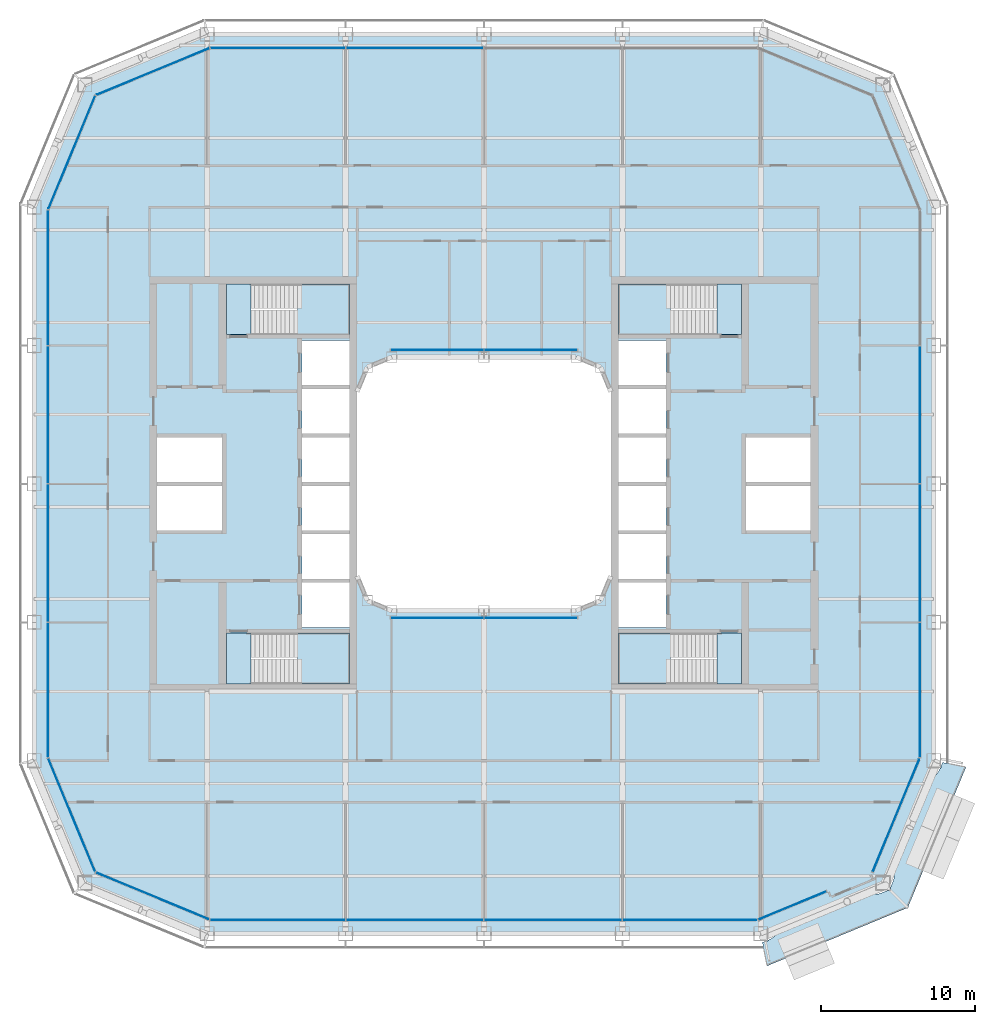
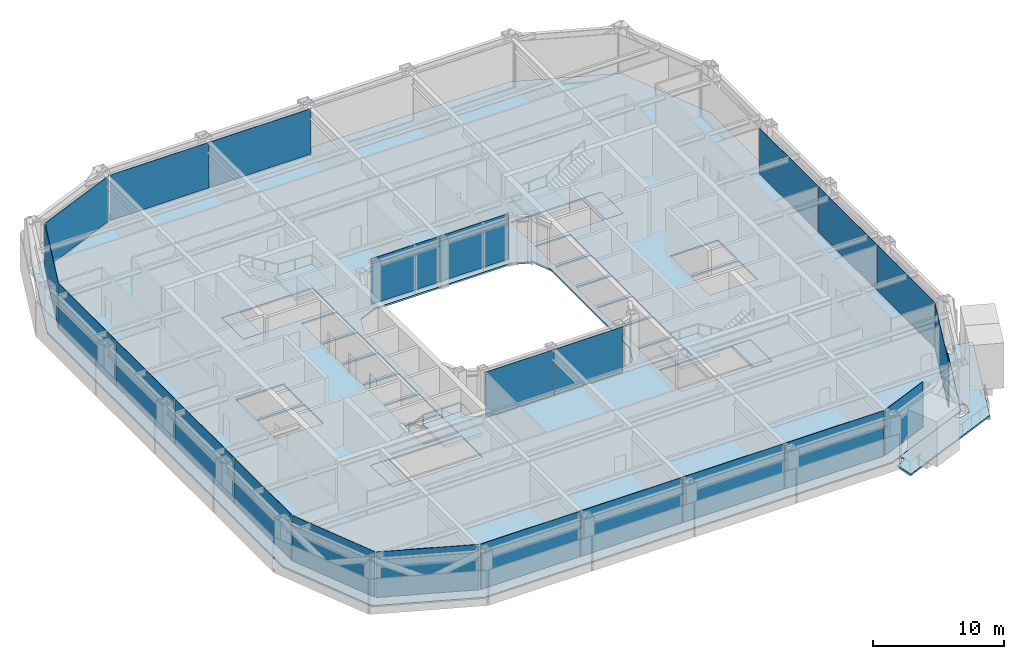
# One storey, part 10 of 23: 23 plates, 10 slabs, 16 elements without a shape of their own.
"""IFC4 building model written with IfcOpenShell, lengths in metres."""

from ifc_helpers import new_model, si_unit, direction, frame, origin, origin_2d, place, context, subcontext, project, spatial, polyline, rectangle, outline, extrude, material, layer, layer_set, type_object, element, aggregate, save


model = new_model("IFC4")

# Units and contexts
model_context = context("Model", 3, precision=1e-05, world=origin(), true_north=direction((0.0, 1.0)))
body_context = subcontext(model_context, "Body", "Model", "MODEL_VIEW")
ifc_project = project(units=[si_unit("LENGTHUNIT", "METRE"), si_unit("AREAUNIT", "SQUARE_METRE"), si_unit("VOLUMEUNIT", "CUBIC_METRE"), si_unit("PLANEANGLEUNIT", "RADIAN"), si_unit("MASSUNIT", "GRAM", prefix="KILO")], contexts=[model_context])

# Site, building, storey
site_placement = place(None, origin())
site = spatial("IfcSite", under=ifc_project, at=site_placement, CompositionType="ELEMENT")
building_placement = place(site_placement, origin())
building = spatial("IfcBuilding", under=site, at=building_placement, Name="Siwar Civic Tower", CompositionType="ELEMENT")
storey_placement = place(building_placement, frame((0.0, 0.0, 127.199951171875)))
storey = spatial("IfcBuildingStorey", under=building, at=storey_placement, Name="L27", CompositionType="ELEMENT", Elevation=127.199951171875)

# Stair, slabs
ifc_material_1 = material(Name="Concrete C40/50", Category="concrete")
stair_type = type_object("IfcStairType", Name="CORE-STAIR", PredefinedType="TWO_STRAIGHT_RUN_STAIR", material=ifc_material_1)
stair_1_placement = place(storey_placement, origin())
stair_1 = element("IfcStair", 1, at=stair_1_placement, inside=storey, type_object=stair_type, Name="Exit stair ST1", PredefinedType="TWO_STRAIGHT_RUN_STAIR")
ifc_material_2 = material(Name="Concrete C40/50", Category="concrete")
ifc_layer_1 = layer(ifc_material_2, 0.300048828125)
ifc_layer_set_1 = layer_set([ifc_layer_1], Name="Concrete C40/50")
slab_type_1 = type_object("IfcSlabType", Name="CORE-STAIR-LANDING", PredefinedType="LANDING", material=ifc_layer_set_1)
slab_1_placement = place(storey_placement, frame((0.0, 0.0, -0.300048828125)))
slab_1 = element("IfcSlab", 2, at=slab_1_placement, type_object=slab_type_1, Name="ST1 landing 1", PredefinedType="LANDING", context=body_context, shape_type="SweptSolid", body=[
    extrude(outline(polyline([(-15.14990234375, 13.0), (-16.75, 13.0), (-16.75, 9.699951171875), (-15.14990234375, 9.699951171875), (-15.14990234375, 13.0)])), origin(), (0.0, 0.0, 1.0), 0.300048828125),
])
slab_2_placement = place(storey_placement, frame((0.0, 0.0, 1.949951171875)))
slab_2 = element("IfcSlab", 3, at=slab_2_placement, type_object=slab_type_1, Name="ST1 landing 2", PredefinedType="LANDING", context=body_context, shape_type="SweptSolid", body=[
    extrude(outline(polyline([(-8.75, 13.0), (-12.139892578125, 13.0), (-12.139892578125, 9.699951171875), (-8.75, 9.699951171875), (-8.75, 13.0)])), origin(), (0.0, 0.0, 1.0), 0.300048828125),
])
aggregate(stair_1, [slab_1, slab_2])

stair_2_placement = place(storey_placement, origin())
stair_2 = element("IfcStair", 4, at=stair_2_placement, inside=storey, type_object=stair_type, Name="Exit stair ST2", PredefinedType="TWO_STRAIGHT_RUN_STAIR")
slab_3_placement = place(storey_placement, frame((0.0, 0.0, -0.300048828125)))
slab_3 = element("IfcSlab", 5, at=slab_3_placement, type_object=slab_type_1, Name="ST2 landing 1", PredefinedType="LANDING", context=body_context, shape_type="SweptSolid", body=[
    extrude(outline(polyline([(-15.14990234375, -9.699951171875), (-16.75, -9.699951171875), (-16.75, -13.0), (-15.14990234375, -13.0), (-15.14990234375, -9.699951171875)])), origin(), (0.0, 0.0, 1.0), 0.300048828125),
])
slab_4_placement = place(storey_placement, frame((0.0, 0.0, 1.949951171875)))
slab_4 = element("IfcSlab", 6, at=slab_4_placement, type_object=slab_type_1, Name="ST2 landing 2", PredefinedType="LANDING", context=body_context, shape_type="SweptSolid", body=[
    extrude(outline(polyline([(-8.75, -9.699951171875), (-12.139892578125, -9.699951171875), (-12.139892578125, -13.0), (-8.75, -13.0), (-8.75, -9.699951171875)])), origin(), (0.0, 0.0, 1.0), 0.300048828125),
])
aggregate(stair_2, [slab_3, slab_4])

stair_3_placement = place(storey_placement, origin())
stair_3 = element("IfcStair", 7, at=stair_3_placement, inside=storey, type_object=stair_type, Name="Exit stair ST3", PredefinedType="TWO_STRAIGHT_RUN_STAIR")
slab_5_placement = place(storey_placement, frame((0.0, 0.0, -0.300048828125)))
slab_5 = element("IfcSlab", 8, at=slab_5_placement, type_object=slab_type_1, Name="ST3 landing 1", PredefinedType="LANDING", context=body_context, shape_type="SweptSolid", body=[
    extrude(outline(polyline([(15.14990234375, 9.699951171875), (16.75, 9.699951171875), (16.75, 13.0), (15.14990234375, 13.0), (15.14990234375, 9.699951171875)])), origin(), (0.0, 0.0, 1.0), 0.300048828125),
])
slab_6_placement = place(storey_placement, frame((0.0, 0.0, 1.949951171875)))
slab_6 = element("IfcSlab", 9, at=slab_6_placement, type_object=slab_type_1, Name="ST3 landing 2", PredefinedType="LANDING", context=body_context, shape_type="SweptSolid", body=[
    extrude(outline(polyline([(8.75, 9.699951171875), (12.139892578125, 9.699951171875), (12.139892578125, 13.0), (8.75, 13.0), (8.75, 9.699951171875)])), origin(), (0.0, 0.0, 1.0), 0.300048828125),
])
aggregate(stair_3, [slab_5, slab_6])

stair_4_placement = place(storey_placement, origin())
stair_4 = element("IfcStair", 10, at=stair_4_placement, inside=storey, type_object=stair_type, Name="Exit stair ST4", PredefinedType="TWO_STRAIGHT_RUN_STAIR")
slab_7_placement = place(storey_placement, frame((0.0, 0.0, -0.300048828125)))
slab_7 = element("IfcSlab", 11, at=slab_7_placement, type_object=slab_type_1, Name="ST4 landing 1", PredefinedType="LANDING", context=body_context, shape_type="SweptSolid", body=[
    extrude(outline(polyline([(15.14990234375, -13.0), (16.75, -13.0), (16.75, -9.699951171875), (15.14990234375, -9.699951171875), (15.14990234375, -13.0)])), origin(), (0.0, 0.0, 1.0), 0.300048828125),
])
slab_8_placement = place(storey_placement, frame((0.0, 0.0, 1.949951171875)))
slab_8 = element("IfcSlab", 12, at=slab_8_placement, type_object=slab_type_1, Name="ST4 landing 2", PredefinedType="LANDING", context=body_context, shape_type="SweptSolid", body=[
    extrude(outline(polyline([(8.75, -13.0), (12.139892578125, -13.0), (12.139892578125, -9.699951171875), (8.75, -9.699951171875), (8.75, -13.0)])), origin(), (0.0, 0.0, 1.0), 0.300048828125),
])
aggregate(stair_4, [slab_7, slab_8])

# Slab
ifc_material_3 = material(Name="Concrete C40/50", Category="concrete")
ifc_layer_2 = layer(ifc_material_3, 0.14990234375)
ifc_layer_set_2 = layer_set([ifc_layer_2], Name="Concrete C40/50")
slab_type_2 = type_object("IfcSlabType", Name="ENV-BALCONY DECK 150", PredefinedType="FLOOR", material=ifc_layer_set_2)
slab_9_placement = place(storey_placement, frame((0.0, 0.0, -0.1494140625)))
element("IfcSlab", 13, at=slab_9_placement, inside=storey, type_object=slab_type_2, Name="Tree balcony deck SE", PredefinedType="FLOOR", context=body_context, shape_type="SweptSolid", body=[
    extrude(outline(polyline([(26.263427734375, -26.43310546875), (26.258056640625, -26.435546875), (26.258056640625, -26.435546875), (26.24169921875, -26.4423828125), (25.921875, -26.575439453125), (25.897216796875, -26.585693359375), (25.88916015625, -26.589111328125), (25.88720703125, -26.58984375), (25.81494140625, -26.617431640625), (25.81005859375, -26.619140625), (25.74462890625, -26.639404296875), (25.740234375, -26.640625), (25.673583984375, -26.65673828125), (25.669189453125, -26.65771484375), (25.601806640625, -26.669921875), (25.59765625, -26.67041015625), (25.529541015625, -26.6787109375), (25.523681640625, -26.67919921875), (25.517578125, -26.67919921875), (25.406005859375, -26.6748046875), (25.397216796875, -26.674072265625), (25.388671875, -26.672119140625), (25.345703125, -26.66015625), (25.34130859375, -26.65869140625), (25.299072265625, -26.64404296875), (25.29150390625, -26.640869140625), (25.284423828125, -26.63720703125), (25.251220703125, -26.61669921875), (25.247802734375, -26.614501953125), (25.216064453125, -26.59228515625), (25.209716796875, -26.58740234375), (25.203857421875, -26.581787109375), (25.19873046875, -26.575439453125), (25.1943359375, -26.56884765625), (25.190673828125, -26.561767578125), (25.177001953125, -26.531494140625), (25.17529296875, -26.52734375), (25.16357421875, -26.496337890625), (25.1611328125, -26.488525390625), (25.159423828125, -26.480712890625), (25.15869140625, -26.47265625), (25.15869140625, -26.464599609375), (25.15966796875, -26.456787109375), (25.166259765625, -26.418701171875), (25.167236328125, -26.41455078125), (25.176025390625, -26.376708984375), (25.17822265625, -26.368896484375), (25.181396484375, -26.361328125), (25.20068359375, -26.321044921875), (25.202880859375, -26.31689453125), (25.224609375, -26.27783203125), (25.2294921875, -26.2705078125), (25.23486328125, -26.263671875), (25.25048828125, -26.246826171875), (18.724609375, -28.949951171875), (18.77490234375, -28.951904296875), (18.783447265625, -28.95263671875), (18.7919921875, -28.95458984375), (18.835205078125, -28.966552734375), (18.839599609375, -28.968017578125), (18.8818359375, -28.982666015625), (18.889404296875, -28.98583984375), (18.896484375, -28.98974609375), (18.9296875, -29.010009765625), (18.935302734375, -29.013916015625), (18.940673828125, -29.018310546875), (18.945556640625, -29.023193359375), (18.968994140625, -29.048583984375), (18.971923828125, -29.052001953125), (18.99365234375, -29.078857421875), (18.998046875, -29.084716796875), (19.001708984375, -29.0908203125), (19.0048828125, -29.097412109375), (19.00732421875, -29.104248046875), (19.009033203125, -29.111083984375), (19.01025390625, -29.118408203125), (19.013671875, -29.15283203125), (19.01416015625, -29.1572265625), (19.015625, -29.19189453125), (19.015625, -29.19873046875), (19.01513671875, -29.20556640625), (19.013671875, -29.21240234375), (19.0048828125, -29.25), (19.002685546875, -29.2578125), (18.99951171875, -29.265380859375), (18.980224609375, -29.305908203125), (18.97802734375, -29.309814453125), (18.956298828125, -29.348876953125), (18.951416015625, -29.356201171875), (18.946044921875, -29.363037109375), (18.870361328125, -29.4453125), (18.865966796875, -29.44970703125), (18.861572265625, -29.453369140625), (18.8076171875, -29.495849609375), (18.80419921875, -29.498291015625), (18.748046875, -29.53759765625), (18.744384765625, -29.5400390625), (18.68603515625, -29.575927734375), (18.681884765625, -29.578369140625), (18.62158203125, -29.610595703125), (18.616943359375, -29.61279296875), (18.54638671875, -29.64453125), (18.54443359375, -29.645263671875), (18.4951171875, -29.665771484375), (18.47509765625, -29.674072265625), (18.47509765625, -29.72509765625), (18.352783203125, -29.72509765625), (18.314697265625, -29.740966796875), (18.232666015625, -29.775146484375), (18.19970703125, -29.788818359375), (18.175048828125, -29.798828125), (18.175048828125, -29.798828125), (18.16748046875, -29.8017578125), (18.148193359375, -29.807373046875), (18.140625, -29.80908203125), (18.1328125, -29.81005859375), (18.1123046875, -29.8115234375), (18.11181640625, -29.8115234375), (18.417724609375, -31.35009765625), (27.562255859375, -27.562255859375), (31.35009765625, -18.417724609375), (29.80810546875, -18.111083984375), (29.808349609375, -18.114013671875), (29.80859375, -18.13037109375), (29.808349609375, -18.136962890625), (29.8076171875, -18.1435546875), (29.80615234375, -18.150146484375), (29.80224609375, -18.1650390625), (29.798828125, -18.175048828125), (29.788818359375, -18.19970703125), (29.755615234375, -18.279052734375), (29.740966796875, -18.314697265625), (29.72509765625, -18.352783203125), (29.72509765625, -18.47509765625), (29.674072265625, -18.47509765625), (29.665771484375, -18.4951171875), (29.645263671875, -18.54443359375), (29.64453125, -18.54638671875), (29.61279296875, -18.616943359375), (29.610595703125, -18.62158203125), (29.578369140625, -18.681884765625), (29.575927734375, -18.68603515625), (29.5400390625, -18.744384765625), (29.53759765625, -18.748046875), (29.498291015625, -18.80419921875), (29.495849609375, -18.8076171875), (29.453369140625, -18.861572265625), (29.44970703125, -18.865966796875), (29.4453125, -18.870361328125), (29.363037109375, -18.946044921875), (29.356201171875, -18.951416015625), (29.348876953125, -18.956298828125), (29.309814453125, -18.97802734375), (29.305908203125, -18.980224609375), (29.265380859375, -18.99951171875), (29.2578125, -19.002685546875), (29.25, -19.0048828125), (29.21240234375, -19.013671875), (29.20556640625, -19.01513671875), (29.19873046875, -19.015625), (29.19189453125, -19.015625), (29.1572265625, -19.01416015625), (29.15283203125, -19.013671875), (29.118408203125, -19.01025390625), (29.111083984375, -19.009033203125), (29.104248046875, -19.00732421875), (29.097412109375, -19.0048828125), (29.0908203125, -19.001708984375), (29.084716796875, -18.998046875), (29.078857421875, -18.99365234375), (29.052001953125, -18.971923828125), (29.048583984375, -18.968994140625), (29.023193359375, -18.945556640625), (29.018310546875, -18.940673828125), (29.013916015625, -18.935302734375), (29.010009765625, -18.9296875), (28.98974609375, -18.896484375), (28.98583984375, -18.889404296875), (28.982666015625, -18.8818359375), (28.968017578125, -18.839599609375), (28.966552734375, -18.835205078125), (28.95458984375, -18.7919921875), (28.95263671875, -18.783447265625), (28.951904296875, -18.77490234375), (28.949951171875, -18.724609375), (26.246826171875, -25.25048828125), (26.263671875, -25.23486328125), (26.2705078125, -25.2294921875), (26.27783203125, -25.224609375), (26.31689453125, -25.202880859375), (26.321044921875, -25.20068359375), (26.361328125, -25.181396484375), (26.368896484375, -25.17822265625), (26.376708984375, -25.176025390625), (26.41455078125, -25.167236328125), (26.418701171875, -25.166259765625), (26.456787109375, -25.15966796875), (26.464599609375, -25.15869140625), (26.47265625, -25.15869140625), (26.480712890625, -25.159423828125), (26.488525390625, -25.1611328125), (26.496337890625, -25.16357421875), (26.52734375, -25.17529296875), (26.531494140625, -25.177001953125), (26.561767578125, -25.190673828125), (26.56884765625, -25.1943359375), (26.575439453125, -25.19873046875), (26.581787109375, -25.203857421875), (26.58740234375, -25.209716796875), (26.59228515625, -25.216064453125), (26.614501953125, -25.247802734375), (26.61669921875, -25.251220703125), (26.63720703125, -25.284423828125), (26.640869140625, -25.29150390625), (26.64404296875, -25.299072265625), (26.65869140625, -25.34130859375), (26.66015625, -25.345703125), (26.672119140625, -25.388671875), (26.674072265625, -25.397216796875), (26.6748046875, -25.406005859375), (26.67919921875, -25.517578125), (26.67919921875, -25.523681640625), (26.6787109375, -25.529541015625), (26.67041015625, -25.59765625), (26.669921875, -25.601806640625), (26.65771484375, -25.669189453125), (26.65673828125, -25.673583984375), (26.640625, -25.740234375), (26.639404296875, -25.74462890625), (26.619140625, -25.81005859375), (26.617431640625, -25.81494140625), (26.58984375, -25.88720703125), (26.589111328125, -25.88916015625), (26.585693359375, -25.897216796875), (26.575439453125, -25.921875), (26.4423828125, -26.24169921875), (26.435546875, -26.258056640625), (26.4306640625, -26.267578125), (26.429931640625, -26.268798828125), (26.429931640625, -26.429931640625), (26.26953125, -26.429931640625), (26.263427734375, -26.43310546875)])), origin(), (0.0, 0.0, 1.0), 0.1494140625),
])

# Curtain wall, plates
ifc_material_4 = material(Name="Aluminium and glass", Category="aluminium")
ifc_layer_3 = layer(ifc_material_4, 0.199951171875)
ifc_layer_set_3 = layer_set([ifc_layer_3], Name="Aluminium and glass")
curtain_wall_type_1 = type_object("IfcCurtainWallType", Name="ENV-CW-B", PredefinedType="NOTDEFINED", material=ifc_layer_set_3)
curtain_wall_1_placement = place(storey_placement, origin())
curtain_wall_1 = element("IfcCurtainWall", 14, at=curtain_wall_1_placement, inside=storey, type_object=curtain_wall_type_1, Name="Curtain wall B S", PredefinedType="NOTDEFINED")
ifc_material_5 = material(Name="Glass clear laminated", Category="glass")
ifc_layer_4 = layer(ifc_material_5, 0.033935546875)
ifc_layer_set_4 = layer_set([ifc_layer_4], Name="Glass clear laminated")
plate_type_1 = type_object("IfcPlateType", Name="ENV-PANEL-B", PredefinedType="CURTAIN_PANEL", material=ifc_layer_set_4)
plate_1_placement = place(storey_placement, frame((-13.410400390625, -28.35009765625, 0.10986328125), z_axis=(0.0, 0.0, 1.0), x_axis=(1.0, 0.0, 0.0)))
plate_1 = element("IfcPlate", 15, at=plate_1_placement, type_object=plate_type_1, Name="Curtain panel B S 1", PredefinedType="CURTAIN_PANEL", context=body_context, shape_type="SweptSolid", body=[
    extrude(rectangle(XDim=8.755859375, YDim=0.033935546875, at=origin_2d()), origin(), (0.0, 0.0, 1.0), 4.239990234375),
])
plate_2_placement = place(storey_placement, frame((-4.5, -28.35009765625, 0.10986328125), z_axis=(0.0, 0.0, 1.0), x_axis=(1.0, 0.0, 0.0)))
plate_2 = element("IfcPlate", 16, at=plate_2_placement, type_object=plate_type_1, Name="Curtain panel B S 2", PredefinedType="CURTAIN_PANEL", context=body_context, shape_type="SweptSolid", body=[
    extrude(rectangle(XDim=8.93505859375, YDim=0.033935546875, at=origin_2d()), origin(), (0.0, 0.0, 1.0), 4.239990234375),
])
plate_3_placement = place(storey_placement, frame((4.5, -28.35009765625, 0.10986328125), z_axis=(0.0, 0.0, 1.0), x_axis=(1.0, 0.0, 0.0)))
plate_3 = element("IfcPlate", 17, at=plate_3_placement, type_object=plate_type_1, Name="Curtain panel B S 3", PredefinedType="CURTAIN_PANEL", context=body_context, shape_type="SweptSolid", body=[
    extrude(rectangle(XDim=8.93505859375, YDim=0.033935546875, at=origin_2d()), origin(), (0.0, 0.0, 1.0), 4.239990234375),
])
plate_4_placement = place(storey_placement, frame((13.369873046875, -28.35009765625, 0.10986328125), z_axis=(0.0, 0.0, 1.0), x_axis=(1.0, 0.0, 0.0)))
plate_4 = element("IfcPlate", 18, at=plate_4_placement, type_object=plate_type_1, Name="Curtain panel B S 4", PredefinedType="CURTAIN_PANEL", context=body_context, shape_type="SweptSolid", body=[
    extrude(rectangle(XDim=8.6748046875, YDim=0.033935546875, at=origin_2d()), origin(), (0.0, 0.0, 1.0), 4.239990234375),
])
aggregate(curtain_wall_1, [plate_1, plate_2, plate_3, plate_4])

curtain_wall_2_placement = place(storey_placement, origin())
curtain_wall_2 = element("IfcCurtainWall", 19, at=curtain_wall_2_placement, inside=storey, type_object=curtain_wall_type_1, Name="Curtain wall B E", PredefinedType="NOTDEFINED")
plate_5_placement = place(storey_placement, frame((28.35009765625, -13.410400390625, 0.10986328125), z_axis=(0.0, 0.0, 1.0), x_axis=(0.0, 1.0, 0.0)))
plate_5 = element("IfcPlate", 20, at=plate_5_placement, type_object=plate_type_1, Name="Curtain panel B E 1", PredefinedType="CURTAIN_PANEL", context=body_context, shape_type="SweptSolid", body=[
    extrude(rectangle(XDim=8.755859375, YDim=0.033935546875, at=origin_2d()), origin(), (0.0, 0.0, 1.0), 4.239990234375),
])
plate_6_placement = place(storey_placement, frame((28.35009765625, -4.5, 0.10986328125), z_axis=(0.0, 0.0, 1.0), x_axis=(0.0, 1.0, 0.0)))
plate_6 = element("IfcPlate", 21, at=plate_6_placement, type_object=plate_type_1, Name="Curtain panel B E 2", PredefinedType="CURTAIN_PANEL", context=body_context, shape_type="SweptSolid", body=[
    extrude(rectangle(XDim=8.93505859375, YDim=0.033935546875, at=origin_2d()), origin(), (0.0, 0.0, 1.0), 4.239990234375),
])
plate_7_placement = place(storey_placement, frame((28.35009765625, 4.5, 0.10986328125), z_axis=(0.0, 0.0, 1.0), x_axis=(0.0, 1.0, 0.0)))
plate_7 = element("IfcPlate", 22, at=plate_7_placement, type_object=plate_type_1, Name="Curtain panel B E 3", PredefinedType="CURTAIN_PANEL", context=body_context, shape_type="SweptSolid", body=[
    extrude(rectangle(XDim=8.93505859375, YDim=0.033935546875, at=origin_2d()), origin(), (0.0, 0.0, 1.0), 4.239990234375),
])
aggregate(curtain_wall_2, [plate_5, plate_6, plate_7])

curtain_wall_3_placement = place(storey_placement, origin())
curtain_wall_3 = element("IfcCurtainWall", 23, at=curtain_wall_3_placement, inside=storey, type_object=curtain_wall_type_1, Name="Curtain wall B N", PredefinedType="NOTDEFINED")
plate_8_placement = place(storey_placement, frame((-4.5, 28.35009765625, 0.10986328125), z_axis=(0.0, 0.0, 1.0), x_axis=(-1.0, 0.0, 0.0)))
plate_8 = element("IfcPlate", 24, at=plate_8_placement, type_object=plate_type_1, Name="Curtain panel B N 3", PredefinedType="CURTAIN_PANEL", context=body_context, shape_type="SweptSolid", body=[
    extrude(rectangle(XDim=8.93505859375, YDim=0.033935546875, at=origin_2d()), origin(), (0.0, 0.0, 1.0), 4.239990234375),
])
plate_9_placement = place(storey_placement, frame((-13.369873046875, 28.35009765625, 0.10986328125), z_axis=(0.0, 0.0, 1.0), x_axis=(-1.0, 0.0, 0.0)))
plate_9 = element("IfcPlate", 25, at=plate_9_placement, type_object=plate_type_1, Name="Curtain panel B N 4", PredefinedType="CURTAIN_PANEL", context=body_context, shape_type="SweptSolid", body=[
    extrude(rectangle(XDim=8.6748046875, YDim=0.033935546875, at=origin_2d()), origin(), (0.0, 0.0, 1.0), 4.239990234375),
])
aggregate(curtain_wall_3, [plate_8, plate_9])

curtain_wall_4_placement = place(storey_placement, origin())
curtain_wall_4 = element("IfcCurtainWall", 26, at=curtain_wall_4_placement, inside=storey, type_object=curtain_wall_type_1, Name="Curtain wall B W", PredefinedType="NOTDEFINED")
plate_10_placement = place(storey_placement, frame((-28.35009765625, 13.410400390625, 0.10986328125), z_axis=(0.0, 0.0, 1.0), x_axis=(0.0, -1.0, 0.0)))
plate_10 = element("IfcPlate", 27, at=plate_10_placement, type_object=plate_type_1, Name="Curtain panel B W 1", PredefinedType="CURTAIN_PANEL", context=body_context, shape_type="SweptSolid", body=[
    extrude(rectangle(XDim=8.755859375, YDim=0.033935546875, at=origin_2d()), origin(), (0.0, 0.0, 1.0), 4.239990234375),
])
plate_11_placement = place(storey_placement, frame((-28.35009765625, 4.5, 0.10986328125), z_axis=(0.0, 0.0, 1.0), x_axis=(0.0, -1.0, 0.0)))
plate_11 = element("IfcPlate", 28, at=plate_11_placement, type_object=plate_type_1, Name="Curtain panel B W 2", PredefinedType="CURTAIN_PANEL", context=body_context, shape_type="SweptSolid", body=[
    extrude(rectangle(XDim=8.93505859375, YDim=0.033935546875, at=origin_2d()), origin(), (0.0, 0.0, 1.0), 4.239990234375),
])
plate_12_placement = place(storey_placement, frame((-28.35009765625, -4.5, 0.10986328125), z_axis=(0.0, 0.0, 1.0), x_axis=(0.0, -1.0, 0.0)))
plate_12 = element("IfcPlate", 29, at=plate_12_placement, type_object=plate_type_1, Name="Curtain panel B W 3", PredefinedType="CURTAIN_PANEL", context=body_context, shape_type="SweptSolid", body=[
    extrude(rectangle(XDim=8.93505859375, YDim=0.033935546875, at=origin_2d()), origin(), (0.0, 0.0, 1.0), 4.239990234375),
])
plate_13_placement = place(storey_placement, frame((-28.35009765625, -13.369873046875, 0.10986328125), z_axis=(0.0, 0.0, 1.0), x_axis=(0.0, -1.0, 0.0)))
plate_13 = element("IfcPlate", 30, at=plate_13_placement, type_object=plate_type_1, Name="Curtain panel B W 4", PredefinedType="CURTAIN_PANEL", context=body_context, shape_type="SweptSolid", body=[
    extrude(rectangle(XDim=8.6748046875, YDim=0.033935546875, at=origin_2d()), origin(), (0.0, 0.0, 1.0), 4.239990234375),
])
aggregate(curtain_wall_4, [plate_10, plate_11, plate_12, plate_13])

# Curtain wall, plate
ifc_material_6 = material(Name="Aluminium clad insulated panel", Category="aluminium")
ifc_layer_5 = layer(ifc_material_6, 0.199951171875)
ifc_layer_set_5 = layer_set([ifc_layer_5], Name="Aluminium clad insulated panel")
curtain_wall_type_2 = type_object("IfcCurtainWallType", Name="ENV-CW-BX", PredefinedType="NOTDEFINED", material=ifc_layer_set_5)
curtain_wall_5_placement = place(storey_placement, origin())
curtain_wall_5 = element("IfcCurtainWall", 31, at=curtain_wall_5_placement, inside=storey, type_object=curtain_wall_type_2, Name="Curtain wall B SE1", PredefinedType="NOTDEFINED")
ifc_material_7 = material(Name="Aluminium clad insulated panel", Category="aluminium")
ifc_layer_6 = layer(ifc_material_7, 0.033935546875)
ifc_layer_set_6 = layer_set([ifc_layer_6], Name="Aluminium clad insulated panel")
plate_type_2 = type_object("IfcPlateType", Name="ENV-PANEL-BX", PredefinedType="CURTAIN_PANEL", material=ifc_layer_set_6)
plate_14_placement = place(storey_placement, frame((20.06005859375, -27.422607421875, 0.10986328125), z_axis=(0.0, 0.0, 1.0), x_axis=(0.923879532511, 0.382683432365, 0.0)))
plate_14 = element("IfcPlate", 32, at=plate_14_placement, type_object=plate_type_2, Name="Curtain panel B SE1 1", PredefinedType="CURTAIN_PANEL", context=body_context, shape_type="SweptSolid", body=[
    extrude(rectangle(XDim=4.7822265625, YDim=0.033935546875, at=origin_2d()), origin(), (0.0, 0.0, 1.0), 4.239990234375),
])
aggregate(curtain_wall_5, [plate_14])

curtain_wall_6_placement = place(storey_placement, origin())
curtain_wall_6 = element("IfcCurtainWall", 33, at=curtain_wall_6_placement, inside=storey, type_object=curtain_wall_type_2, Name="Curtain wall B SE2", PredefinedType="NOTDEFINED")
plate_15_placement = place(storey_placement, frame((26.79248046875, -21.5810546875, 0.10986328125), z_axis=(0.0, 0.0, 1.0), x_axis=(0.382683432365, 0.923879532511, 0.0)))
plate_15 = element("IfcPlate", 34, at=plate_15_placement, type_object=plate_type_2, Name="Curtain panel B SE2 1", PredefinedType="CURTAIN_PANEL", context=body_context, shape_type="SweptSolid", body=[
    extrude(rectangle(XDim=7.912353515625, YDim=0.033935546875, at=origin_2d()), origin(), (0.0, 0.0, 1.0), 4.239990234375),
])
aggregate(curtain_wall_6, [plate_15])

curtain_wall_7_placement = place(storey_placement, origin())
curtain_wall_7 = element("IfcCurtainWall", 35, at=curtain_wall_7_placement, inside=storey, type_object=curtain_wall_type_2, Name="Curtain wall B NW1", PredefinedType="NOTDEFINED")
plate_16_placement = place(storey_placement, frame((-21.506103515625, 26.823486328125, 0.10986328125), z_axis=(0.0, 0.0, 1.0), x_axis=(-0.923879532511, -0.382683432365, 0.0)))
plate_16 = element("IfcPlate", 36, at=plate_16_placement, type_object=plate_type_2, Name="Curtain panel B NW1 1", PredefinedType="CURTAIN_PANEL", context=body_context, shape_type="SweptSolid", body=[
    extrude(rectangle(XDim=7.912353515625, YDim=0.033935546875, at=origin_2d()), origin(), (0.0, 0.0, 1.0), 4.239990234375),
])
aggregate(curtain_wall_7, [plate_16])

curtain_wall_8_placement = place(storey_placement, origin())
curtain_wall_8 = element("IfcCurtainWall", 37, at=curtain_wall_8_placement, inside=storey, type_object=curtain_wall_type_2, Name="Curtain wall B NW2", PredefinedType="NOTDEFINED")
plate_17_placement = place(storey_placement, frame((-26.79248046875, 21.5810546875, 0.10986328125), z_axis=(0.0, 0.0, 1.0), x_axis=(-0.382683432365, -0.923879532511, 0.0)))
plate_17 = element("IfcPlate", 38, at=plate_17_placement, type_object=plate_type_2, Name="Curtain panel B NW2 1", PredefinedType="CURTAIN_PANEL", context=body_context, shape_type="SweptSolid", body=[
    extrude(rectangle(XDim=7.912353515625, YDim=0.033935546875, at=origin_2d()), origin(), (0.0, 0.0, 1.0), 4.239990234375),
])
aggregate(curtain_wall_8, [plate_17])

curtain_wall_9_placement = place(storey_placement, origin())
curtain_wall_9 = element("IfcCurtainWall", 39, at=curtain_wall_9_placement, inside=storey, type_object=curtain_wall_type_2, Name="Curtain wall B SW1", PredefinedType="NOTDEFINED")
plate_18_placement = place(storey_placement, frame((-26.823486328125, -21.506103515625, 0.10986328125), z_axis=(0.0, 0.0, 1.0), x_axis=(0.382683432365, -0.923879532511, 0.0)))
plate_18 = element("IfcPlate", 40, at=plate_18_placement, type_object=plate_type_2, Name="Curtain panel B SW1 1", PredefinedType="CURTAIN_PANEL", context=body_context, shape_type="SweptSolid", body=[
    extrude(rectangle(XDim=7.912353515625, YDim=0.033935546875, at=origin_2d()), origin(), (0.0, 0.0, 1.0), 4.239990234375),
])
aggregate(curtain_wall_9, [plate_18])

curtain_wall_10_placement = place(storey_placement, origin())
curtain_wall_10 = element("IfcCurtainWall", 41, at=curtain_wall_10_placement, inside=storey, type_object=curtain_wall_type_2, Name="Curtain wall B SW2", PredefinedType="NOTDEFINED")
plate_19_placement = place(storey_placement, frame((-21.5810546875, -26.79248046875, 0.10986328125), z_axis=(0.0, 0.0, 1.0), x_axis=(0.923879532511, -0.382683432365, 0.0)))
plate_19 = element("IfcPlate", 42, at=plate_19_placement, type_object=plate_type_2, Name="Curtain panel B SW2 1", PredefinedType="CURTAIN_PANEL", context=body_context, shape_type="SweptSolid", body=[
    extrude(rectangle(XDim=7.912353515625, YDim=0.033935546875, at=origin_2d()), origin(), (0.0, 0.0, 1.0), 4.239990234375),
])
aggregate(curtain_wall_10, [plate_19])

# Curtain wall, plates
ifc_material_8 = material(Name="Aluminium and glass", Category="aluminium")
ifc_layer_7 = layer(ifc_material_8, 0.179931640625)
ifc_layer_set_7 = layer_set([ifc_layer_7], Name="Aluminium and glass")
curtain_wall_type_3 = type_object("IfcCurtainWallType", Name="ENV-CW-W", PredefinedType="NOTDEFINED", material=ifc_layer_set_7)
curtain_wall_11_placement = place(storey_placement, origin())
curtain_wall_11 = element("IfcCurtainWall", 43, at=curtain_wall_11_placement, inside=storey, type_object=curtain_wall_type_3, Name="Curtain wall W WS", PredefinedType="NOTDEFINED")
ifc_material_9 = material(Name="Glass clear laminated", Category="glass")
ifc_layer_8 = layer(ifc_material_9, 0.031982421875)
ifc_layer_set_8 = layer_set([ifc_layer_8], Name="Glass clear laminated")
plate_type_3 = type_object("IfcPlateType", Name="ENV-PANEL-W", PredefinedType="CURTAIN_PANEL", material=ifc_layer_set_8)
plate_20_placement = place(storey_placement, frame((-3.045654296875, -8.7099609375, 0.10009765625), z_axis=(0.0, 0.0, 1.0), x_axis=(1.0, 0.0, 0.0)))
plate_20 = element("IfcPlate", 44, at=plate_20_placement, type_object=plate_type_3, Name="Curtain panel W WS 1", PredefinedType="CURTAIN_PANEL", context=body_context, shape_type="SweptSolid", body=[
    extrude(rectangle(XDim=6.031494140625, YDim=0.031982421875, at=origin_2d()), origin(), (0.0, 0.0, 1.0), 4.25),
])
plate_21_placement = place(storey_placement, frame((3.045654296875, -8.7099609375, 0.10009765625), z_axis=(0.0, 0.0, 1.0), x_axis=(1.0, 0.0, 0.0)))
plate_21 = element("IfcPlate", 45, at=plate_21_placement, type_object=plate_type_3, Name="Curtain panel W WS 2", PredefinedType="CURTAIN_PANEL", context=body_context, shape_type="SweptSolid", body=[
    extrude(rectangle(XDim=6.031494140625, YDim=0.031982421875, at=origin_2d()), origin(), (0.0, 0.0, 1.0), 4.25),
])
aggregate(curtain_wall_11, [plate_20, plate_21])

curtain_wall_12_placement = place(storey_placement, origin())
curtain_wall_12 = element("IfcCurtainWall", 46, at=curtain_wall_12_placement, inside=storey, type_object=curtain_wall_type_3, Name="Curtain wall W WN", PredefinedType="NOTDEFINED")
plate_22_placement = place(storey_placement, frame((3.045654296875, 8.7099609375, 0.10009765625), z_axis=(0.0, 0.0, 1.0), x_axis=(-1.0, 0.0, 0.0)))
plate_22 = element("IfcPlate", 47, at=plate_22_placement, type_object=plate_type_3, Name="Curtain panel W WN 1", PredefinedType="CURTAIN_PANEL", context=body_context, shape_type="SweptSolid", body=[
    extrude(rectangle(XDim=6.031494140625, YDim=0.031982421875, at=origin_2d()), origin(), (0.0, 0.0, 1.0), 4.25),
])
plate_23_placement = place(storey_placement, frame((-3.045654296875, 8.7099609375, 0.10009765625), z_axis=(0.0, 0.0, 1.0), x_axis=(-1.0, 0.0, 0.0)))
plate_23 = element("IfcPlate", 48, at=plate_23_placement, type_object=plate_type_3, Name="Curtain panel W WN 2", PredefinedType="CURTAIN_PANEL", context=body_context, shape_type="SweptSolid", body=[
    extrude(rectangle(XDim=6.031494140625, YDim=0.031982421875, at=origin_2d()), origin(), (0.0, 0.0, 1.0), 4.25),
])
aggregate(curtain_wall_12, [plate_22, plate_23])

# Slab
ifc_material_10 = material(Name="Concrete C40/50", Category="concrete")
ifc_layer_9 = layer(ifc_material_10, 0.14990234375)
ifc_layer_set_9 = layer_set([ifc_layer_9], Name="Concrete C40/50")
slab_type_3 = type_object("IfcSlabType", Name="STR-FLOOR-DECK-150", PredefinedType="FLOOR", material=ifc_layer_set_9)
slab_10_placement = place(storey_placement, frame((0.0, 0.0, -0.14990234375)))
element("IfcSlab", 49, at=slab_10_placement, inside=storey, type_object=slab_type_3, Name="L27/slab/1", PredefinedType="FLOOR", context=body_context, shape_type="SweptSolid", body=[
    extrude(outline(polyline([(-18.0, -29.25), (18.0, -29.25), (25.954833984375, -25.954833984375), (29.25, -18.0), (29.25, 18.0), (25.954833984375, 25.954833984375), (18.0, 29.25), (-18.0, 29.25), (-25.954833984375, 25.954833984375), (-29.25, 18.0), (-29.25, -18.0), (-25.954833984375, -25.954833984375), (-18.0, -29.25)]), holes=[polyline([(21.25, 3.02490234375), (21.25, 0.125), (17.050048828125, 0.125), (17.050048828125, 3.02490234375), (21.25, 3.02490234375)]), polyline([(17.050048828125, -0.125), (21.25, -0.125), (21.25, -3.02490234375), (17.050048828125, -3.02490234375), (17.050048828125, -0.125)]), polyline([(16.75, 13.0), (16.75, 9.699951171875), (8.75, 9.699951171875), (8.75, 13.0), (16.75, 13.0)]), polyline([(8.75, -9.699951171875), (16.75, -9.699951171875), (16.75, -13.0), (8.75, -13.0), (8.75, -9.699951171875)]), polyline([(11.85009765625, 9.324951171875), (11.85009765625, 6.425048828125), (8.75, 6.425048828125), (8.75, 9.324951171875), (11.85009765625, 9.324951171875)]), polyline([(11.85009765625, 3.02490234375), (11.85009765625, 0.125), (8.75, 0.125), (8.75, 3.02490234375), (11.85009765625, 3.02490234375)]), polyline([(11.85009765625, -0.125), (11.85009765625, -3.02490234375), (8.75, -3.02490234375), (8.75, -0.125), (11.85009765625, -0.125)]), polyline([(11.85009765625, -3.27490234375), (11.85009765625, -6.175048828125), (8.75, -6.175048828125), (8.75, -3.27490234375), (11.85009765625, -3.27490234375)]), polyline([(8.75, 6.175048828125), (11.85009765625, 6.175048828125), (11.85009765625, 3.27490234375), (8.75, 3.27490234375), (8.75, 6.175048828125)]), polyline([(8.75, -6.425048828125), (11.85009765625, -6.425048828125), (11.85009765625, -9.324951171875), (8.75, -9.324951171875), (8.75, -6.425048828125)]), polyline([(-6.0, 8.25), (6.0, 8.25), (7.591064453125, 7.591064453125), (8.25, 6.0), (8.25, -6.0), (7.591064453125, -7.591064453125), (6.0, -8.25), (-6.0, -8.25), (-7.591064453125, -7.591064453125), (-8.25, -6.0), (-8.25, 6.0), (-7.591064453125, 7.591064453125), (-6.0, 8.25)]), polyline([(-8.75, 9.699951171875), (-16.75, 9.699951171875), (-16.75, 13.0), (-8.75, 13.0), (-8.75, 9.699951171875)]), polyline([(-8.75, 0.125), (-11.85009765625, 0.125), (-11.85009765625, 3.02490234375), (-8.75, 3.02490234375), (-8.75, 0.125)]), polyline([(-8.75, -6.175048828125), (-11.85009765625, -6.175048828125), (-11.85009765625, -3.27490234375), (-8.75, -3.27490234375), (-8.75, -6.175048828125)]), polyline([(-8.75, -9.324951171875), (-11.85009765625, -9.324951171875), (-11.85009765625, -6.425048828125), (-8.75, -6.425048828125), (-8.75, -9.324951171875)]), polyline([(-8.75, -13.0), (-16.75, -13.0), (-16.75, -9.699951171875), (-8.75, -9.699951171875), (-8.75, -13.0)]), polyline([(-11.85009765625, 6.425048828125), (-11.85009765625, 9.324951171875), (-8.75, 9.324951171875), (-8.75, 6.425048828125), (-11.85009765625, 6.425048828125)]), polyline([(-11.85009765625, 3.27490234375), (-11.85009765625, 6.175048828125), (-8.75, 6.175048828125), (-8.75, 3.27490234375), (-11.85009765625, 3.27490234375)]), polyline([(-11.85009765625, -3.02490234375), (-11.85009765625, -0.125), (-8.75, -0.125), (-8.75, -3.02490234375), (-11.85009765625, -3.02490234375)]), polyline([(-21.25, -3.02490234375), (-21.25, -0.125), (-17.050048828125, -0.125), (-17.050048828125, -3.02490234375), (-21.25, -3.02490234375)]), polyline([(-17.050048828125, 0.125), (-21.25, 0.125), (-21.25, 3.02490234375), (-17.050048828125, 3.02490234375), (-17.050048828125, 0.125)])]), origin(), (0.0, 0.0, 1.0), 0.14990234375),
])

save(model, "model.ifc")
